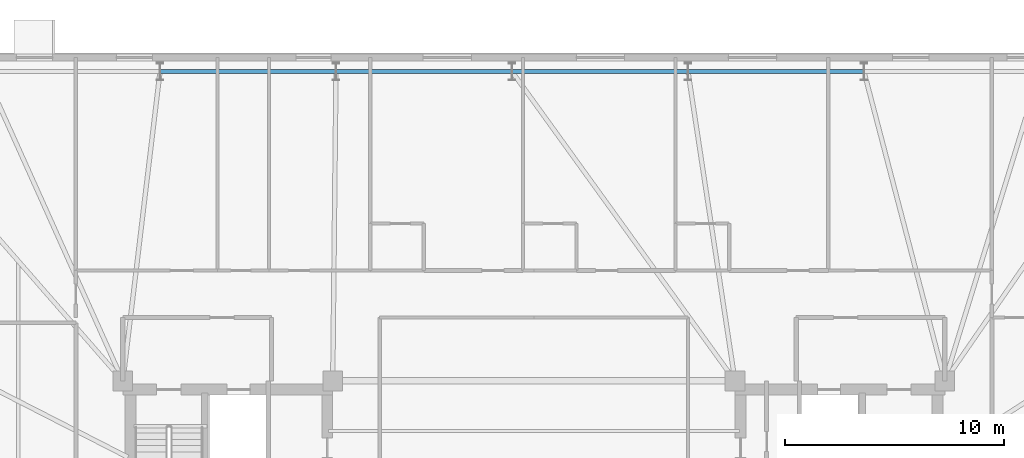
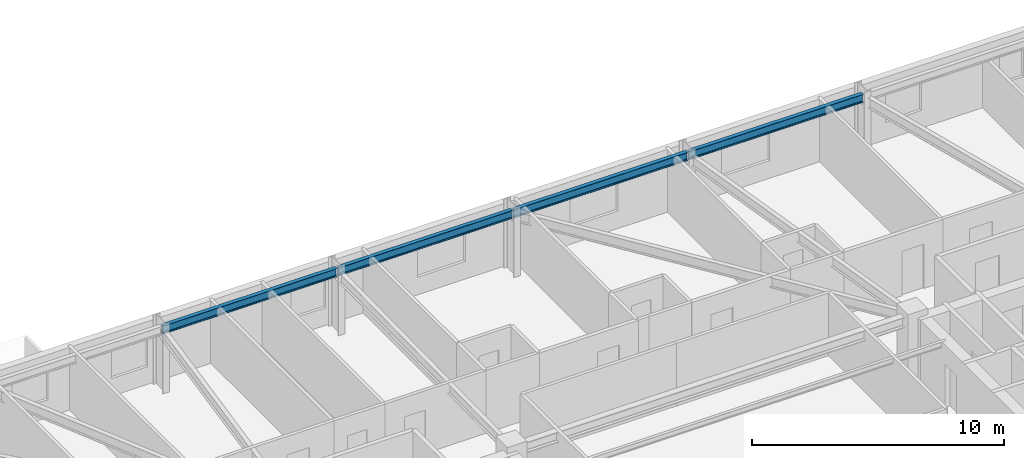
# One storey, part 8 of 17: 4 beams.
"""IFC4 building model written with IfcOpenShell, lengths in metres."""

from ifc_helpers import new_model, si_unit, direction, frame, origin, origin_2d, place, context, subcontext, project, spatial, i_section, extrude, material, material_profile, profile_set, type_object, element, save


model = new_model("IFC4")

# Units and contexts
model_context = context("Model", 3, precision=1e-05, world=origin(), true_north=direction((0.0, 1.0)))
body_context = subcontext(model_context, "Body", "Model", "MODEL_VIEW")
ifc_project = project(units=[si_unit("LENGTHUNIT", "METRE"), si_unit("AREAUNIT", "SQUARE_METRE"), si_unit("VOLUMEUNIT", "CUBIC_METRE"), si_unit("PLANEANGLEUNIT", "RADIAN"), si_unit("MASSUNIT", "GRAM", prefix="KILO")], contexts=[model_context])

# Site, building, storey
site_placement = place(None, origin())
site = spatial("IfcSite", under=ifc_project, at=site_placement, CompositionType="ELEMENT")
building_placement = place(site_placement, origin())
building = spatial("IfcBuilding", under=site, at=building_placement, Name="Qobustan Lattice House", CompositionType="ELEMENT")
storey_placement = place(building_placement, frame((0.0, 0.0, 161.14990234375)))
storey = spatial("IfcBuildingStorey", under=building, at=storey_placement, Name="L45", CompositionType="ELEMENT", Elevation=161.14990234375)

# Beams
ifc_material = material(Name="Steel S355", Category="steel")
ifc_material_profile = material_profile(ifc_material, i_section(OverallWidth=0.179931640625, OverallDepth=0.39990234375, WebThickness=0.008544921875, FlangeThickness=0.013427734375, FilletRadius=0.02099609375, at=origin_2d()), Name="IPE400")
ifc_profile_set = profile_set([ifc_material_profile], Name="Steel S355")
beam_type = type_object("IfcBeamType", Name="BM-SPD-IPE400", PredefinedType="SPANDREL", material=ifc_profile_set)
for number, where, z_axis, x_axis, name in (
    (1, (15.074951171875, 19.75, 2.840087890625), (-1.0, 0.0, 0.0), (0.0, -1.0, 0.0), "L45 perimeter spandrel N2-N3"),
    (2, (7.02490234375, 19.75, 2.840087890625), (-1.0, 0.0, 0.0), (0.0, -1.0, 0.0), "L45 perimeter spandrel N3-N4"),
    (3, (-1.02490234375, 19.75, 2.840087890625), (-1.0, 0.0, 0.0), (0.0, -1.0, 0.0), "L45 perimeter spandrel N4-N5"),
    (4, (-9.074951171875, 19.75, 2.840087890625), (-1.0, 0.0, 0.0), (0.0, -1.0, 0.0), "L45 perimeter spandrel N5-N6"),
):
    element("IfcBeam", number, at=place(storey_placement, frame(where, z_axis=z_axis, x_axis=x_axis)), inside=storey, type_object=beam_type, Name=name, PredefinedType="SPANDREL", context=body_context, shape_type="SweptSolid", body=[
        extrude(i_section(OverallWidth=0.179931640625, OverallDepth=0.39990234375, WebThickness=0.008544921875, FlangeThickness=0.013427734375, FilletRadius=0.02099609375, at=origin_2d()), origin(), (0.0, 0.0, 1.0), 8.0),
    ])

save(model, "model.ifc")
